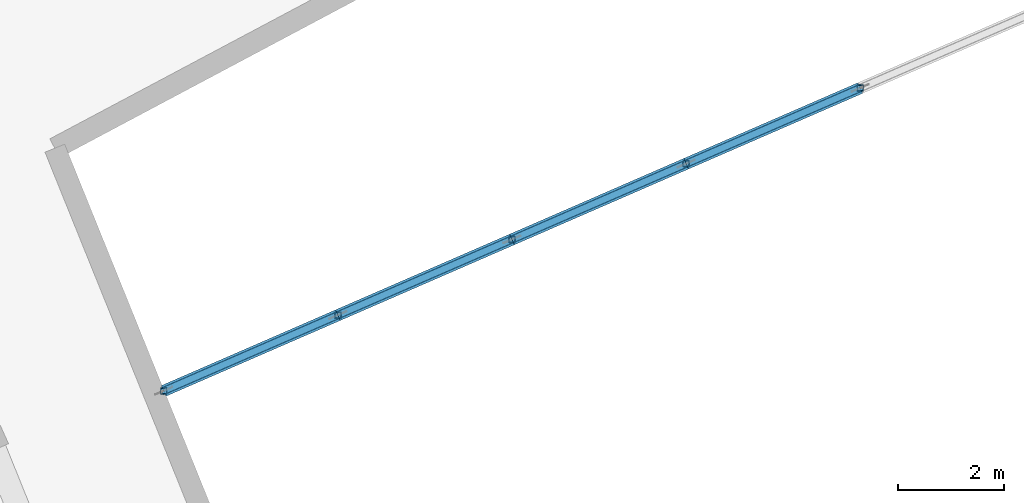
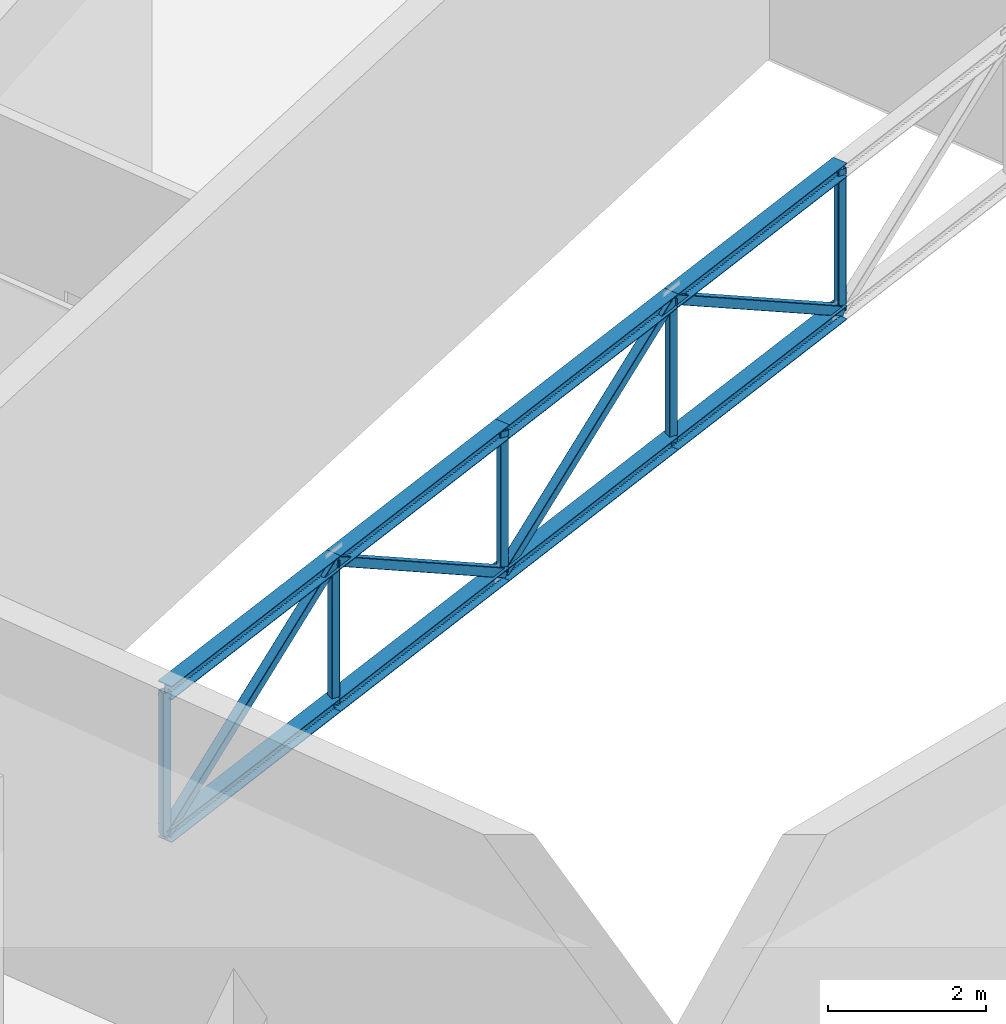
# One storey, part 25 of 112: 17 members.
"""IFC4 building model written with IfcOpenShell, lengths in metres."""

from ifc_helpers import new_model, si_unit, direction, frame, origin, origin_2d, place, context, subcontext, project, spatial, hollow_rectangle, i_section, extrude, material, material_profile, profile_set, type_object, element, save


model = new_model("IFC4")

# Units and contexts
model_context = context("Model", 3, precision=1e-05, world=origin(), true_north=direction((0.0, 1.0)))
body_context = subcontext(model_context, "Body", "Model", "MODEL_VIEW")
ifc_project = project(units=[si_unit("LENGTHUNIT", "METRE"), si_unit("AREAUNIT", "SQUARE_METRE"), si_unit("VOLUMEUNIT", "CUBIC_METRE"), si_unit("PLANEANGLEUNIT", "RADIAN"), si_unit("MASSUNIT", "GRAM", prefix="KILO")], contexts=[model_context])

# Site, building, storey
site_placement = place(None, origin())
site = spatial("IfcSite", under=ifc_project, at=site_placement, CompositionType="ELEMENT")
building_placement = place(site_placement, origin())
building = spatial("IfcBuilding", under=site, at=building_placement, Name="Lunette Opera House", CompositionType="ELEMENT")
storey_placement = place(building_placement, frame((0.0, 0.0, 6.0)))
storey = spatial("IfcBuildingStorey", under=building, at=storey_placement, Name="L01", CompositionType="ELEMENT", Elevation=6.0)

# Members
ifc_material_1 = material(Name="Steel S355", Category="steel")
ifc_material_profile_1 = material_profile(ifc_material_1, i_section(OverallWidth=0.219970703125, OverallDepth=0.2099609375, WebThickness=0.007080078125, FlangeThickness=0.010986328125, FilletRadius=0.01806640625, at=origin_2d()), Name="HEA 220")
ifc_profile_set_1 = profile_set([ifc_material_profile_1], Name="Steel S355")
member_type_1 = type_object("IfcMemberType", Name="CHORD HEA 220", PredefinedType="CHORD", material=ifc_profile_set_1)
for number, where, z_axis, x_axis, name in (
    (1, (154.56494140625, 25.465087890625, 5.175048828125), (0.917092795671, 0.398673806674, 0.0), (-0.398673806674, 0.917092795671, 0.0), "mem-SB-L01-SB-TR02-TC1"),
    (2, (154.56494140625, 25.465087890625, 2.97509765625), (0.917092795671, 0.398673806674, 0.0), (-0.398673806674, 0.917092795671, 0.0), "mem-SB-L01-SB-TR02-BC1"),
):
    element("IfcMember", number, at=place(storey_placement, frame(where, z_axis=z_axis, x_axis=x_axis)), inside=storey, type_object=member_type_1, Name=name, PredefinedType="CHORD", context=body_context, shape_type="SweptSolid", body=[
        extrude(i_section(OverallWidth=0.219970703125, OverallDepth=0.2099609375, WebThickness=0.007080078125, FlangeThickness=0.010986328125, FilletRadius=0.01806640625, at=origin_2d()), origin(), (0.0, 0.0, 1.0), 3.584228515625),
    ])
for number, where, z_axis, x_axis, name in (
    (3, (157.85205078125, 26.89404296875, 5.175048828125), (0.917081968493, 0.398698712144, 0.0), (-0.398698712144, 0.917081968493, 0.0), "mem-SB-L01-SB-TR02-TC2"),
    (4, (157.85205078125, 26.89404296875, 2.97509765625), (0.917081968493, 0.398698712144, 0.0), (-0.398698712144, 0.917081968493, 0.0), "mem-SB-L01-SB-TR02-BC2"),
):
    element("IfcMember", number, at=place(storey_placement, frame(where, z_axis=z_axis, x_axis=x_axis)), inside=storey, type_object=member_type_1, Name=name, PredefinedType="CHORD", context=body_context, shape_type="SweptSolid", body=[
        extrude(i_section(OverallWidth=0.219970703125, OverallDepth=0.2099609375, WebThickness=0.007080078125, FlangeThickness=0.010986328125, FilletRadius=0.01806640625, at=origin_2d()), origin(), (0.0, 0.0, 1.0), 3.583984375),
    ])
for number, where, z_axis, x_axis, name in (
    (5, (161.138916015625, 28.322998046875, 5.175048828125), (0.916993161628, 0.398902922434, 0.0), (-0.398902922434, 0.916993161628, 0.0), "mem-SB-L01-SB-TR02-TC3"),
    (6, (161.138916015625, 28.322998046875, 2.97509765625), (0.916993161628, 0.398902922434, 0.0), (-0.398902922434, 0.916993161628, 0.0), "mem-SB-L01-SB-TR02-BC3"),
):
    element("IfcMember", number, at=place(storey_placement, frame(where, z_axis=z_axis, x_axis=x_axis)), inside=storey, type_object=member_type_1, Name=name, PredefinedType="CHORD", context=body_context, shape_type="SweptSolid", body=[
        extrude(i_section(OverallWidth=0.219970703125, OverallDepth=0.2099609375, WebThickness=0.007080078125, FlangeThickness=0.010986328125, FilletRadius=0.01806640625, at=origin_2d()), origin(), (0.0, 0.0, 1.0), 3.584716796875),
    ])
for number, where, z_axis, x_axis, name in (
    (7, (164.426025390625, 29.7529296875, 5.175048828125), (0.917081968493, 0.398698712144, 0.0), (-0.398698712144, 0.917081968493, 0.0), "mem-SB-L01-SB-TR02-TC4"),
    (8, (164.426025390625, 29.7529296875, 2.97509765625), (0.917081968493, 0.398698712144, 0.0), (-0.398698712144, 0.917081968493, 0.0), "mem-SB-L01-SB-TR02-BC4"),
):
    element("IfcMember", number, at=place(storey_placement, frame(where, z_axis=z_axis, x_axis=x_axis)), inside=storey, type_object=member_type_1, Name=name, PredefinedType="CHORD", context=body_context, shape_type="SweptSolid", body=[
        extrude(i_section(OverallWidth=0.219970703125, OverallDepth=0.2099609375, WebThickness=0.007080078125, FlangeThickness=0.010986328125, FilletRadius=0.01806640625, at=origin_2d()), origin(), (0.0, 0.0, 1.0), 3.583984375),
    ])
ifc_material_2 = material(Name="Steel S355", Category="steel")
ifc_material_profile_2 = material_profile(ifc_material_2, hollow_rectangle(XDim=0.139892578125, YDim=0.139892578125, WallThickness=0.006103515625, InnerFilletRadius=0.006103515625, OuterFilletRadius=0.011962890625, at=origin_2d()), Name="RHS 140X140X6")
ifc_profile_set_2 = profile_set([ifc_material_profile_2], Name="Steel S355")
member_type_2 = type_object("IfcMemberType", Name="DIAGONAL RHS 140X140X6", PredefinedType="BRACE", material=ifc_profile_set_2)
member_1_placement = place(storey_placement, frame((154.56494140625, 25.465087890625, 2.97509765625), z_axis=(0.781609261253, 0.339777109783, 0.523104653383), x_axis=(-0.398673806674, 0.917092795671, 0.0)))
element("IfcMember", 9, at=member_1_placement, inside=storey, type_object=member_type_2, Name="mem-SB-L01-SB-TR02-TD1", PredefinedType="BRACE", context=body_context, shape_type="SweptSolid", body=[
    extrude(hollow_rectangle(XDim=0.139892578125, YDim=0.139892578125, WallThickness=0.006103515625, InnerFilletRadius=0.006103515625, OuterFilletRadius=0.011962890625, at=origin_2d()), origin(), (0.0, 0.0, 1.0), 4.20556640625),
])
member_2_placement = place(storey_placement, frame((157.85205078125, 26.89404296875, 5.175048828125), z_axis=(0.781586672522, 0.339792527243, -0.523128389371), x_axis=(-0.398698712144, 0.917081968493, 0.0)))
element("IfcMember", 10, at=member_2_placement, inside=storey, type_object=member_type_2, Name="mem-SB-L01-SB-TR02-TD2", PredefinedType="BRACE", context=body_context, shape_type="SweptSolid", body=[
    extrude(hollow_rectangle(XDim=0.139892578125, YDim=0.139892578125, WallThickness=0.006103515625, InnerFilletRadius=0.006103515625, OuterFilletRadius=0.011962890625, at=origin_2d()), origin(), (0.0, 0.0, 1.0), 4.205322265625),
])
member_3_placement = place(storey_placement, frame((161.138916015625, 28.322998046875, 2.97509765625), z_axis=(0.781547579549, 0.339982484657, 0.523063371904), x_axis=(-0.398902922434, 0.916993161628, 0.0)))
element("IfcMember", 11, at=member_3_placement, inside=storey, type_object=member_type_2, Name="mem-SB-L01-SB-TR02-TD3", PredefinedType="BRACE", context=body_context, shape_type="SweptSolid", body=[
    extrude(hollow_rectangle(XDim=0.139892578125, YDim=0.139892578125, WallThickness=0.006103515625, InnerFilletRadius=0.006103515625, OuterFilletRadius=0.011962890625, at=origin_2d()), origin(), (0.0, 0.0, 1.0), 4.205810546875),
])
member_4_placement = place(storey_placement, frame((164.426025390625, 29.7529296875, 5.175048828125), z_axis=(0.781586672522, 0.339792527243, -0.523128389371), x_axis=(-0.398698712144, 0.917081968493, 0.0)))
element("IfcMember", 12, at=member_4_placement, inside=storey, type_object=member_type_2, Name="mem-SB-L01-SB-TR02-TD4", PredefinedType="BRACE", context=body_context, shape_type="SweptSolid", body=[
    extrude(hollow_rectangle(XDim=0.139892578125, YDim=0.139892578125, WallThickness=0.006103515625, InnerFilletRadius=0.006103515625, OuterFilletRadius=0.011962890625, at=origin_2d()), origin(), (0.0, 0.0, 1.0), 4.205322265625),
])
ifc_material_3 = material(Name="Steel S355", Category="steel")
ifc_material_profile_3 = material_profile(ifc_material_3, hollow_rectangle(XDim=0.1201171875, YDim=0.1201171875, WallThickness=0.006103515625, InnerFilletRadius=0.006103515625, OuterFilletRadius=0.011962890625, at=origin_2d()), Name="RHS 120X120X6")
ifc_profile_set_3 = profile_set([ifc_material_profile_3], Name="Steel S355")
member_type_3 = type_object("IfcMemberType", Name="VERTICAL RHS 120X120X6", PredefinedType="POST", material=ifc_profile_set_3)
for number, where, z_axis, x_axis, name in (
    (13, (154.56494140625, 25.465087890625, 2.97509765625), (0.0, 0.0, 1.0), (1.0, 0.0, 0.0), "mem-SB-L01-SB-TR02-TV1"),
    (14, (157.85205078125, 26.89404296875, 2.97509765625), (0.0, 0.0, 1.0), (1.0, 0.0, 0.0), "mem-SB-L01-SB-TR02-TV2"),
    (15, (161.138916015625, 28.322998046875, 2.97509765625), (0.0, 0.0, 1.0), (1.0, 0.0, 0.0), "mem-SB-L01-SB-TR02-TV3"),
    (16, (164.426025390625, 29.7529296875, 2.97509765625), (0.0, 0.0, 1.0), (1.0, 0.0, 0.0), "mem-SB-L01-SB-TR02-TV4"),
    (17, (167.712890625, 31.181884765625, 2.97509765625), (0.0, 0.0, 1.0), (1.0, 0.0, 0.0), "mem-SB-L01-SB-TR02-TV5"),
):
    element("IfcMember", number, at=place(storey_placement, frame(where, z_axis=z_axis, x_axis=x_axis)), inside=storey, type_object=member_type_3, Name=name, PredefinedType="POST", context=body_context, shape_type="SweptSolid", body=[
        extrude(hollow_rectangle(XDim=0.1201171875, YDim=0.1201171875, WallThickness=0.006103515625, InnerFilletRadius=0.006103515625, OuterFilletRadius=0.011962890625, at=origin_2d()), origin(), (0.0, 0.0, 1.0), 2.199951171875),
    ])

save(model, "model.ifc")
